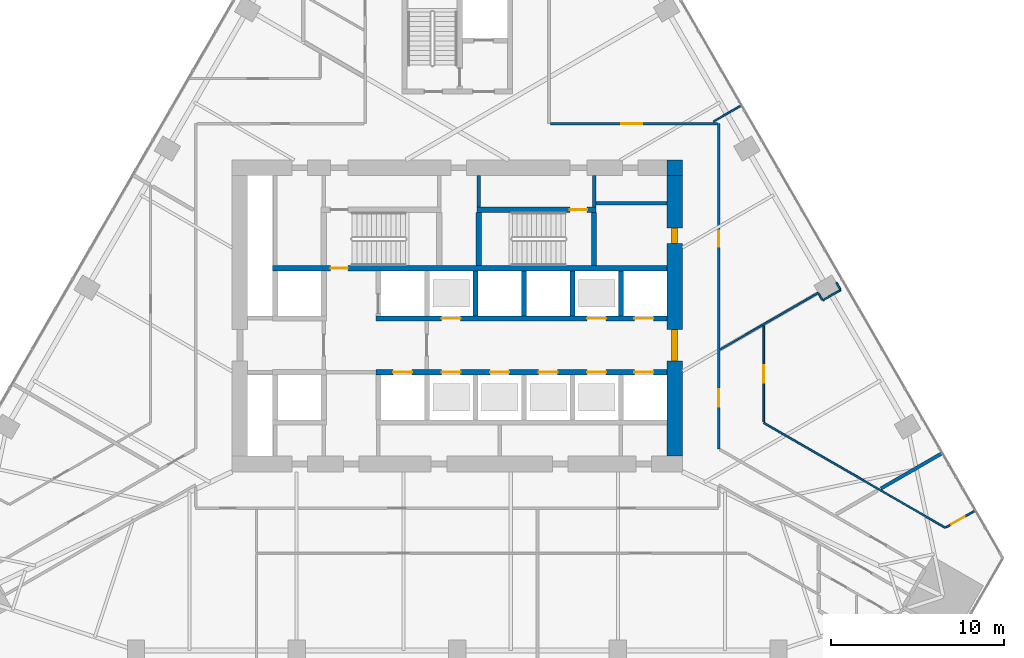
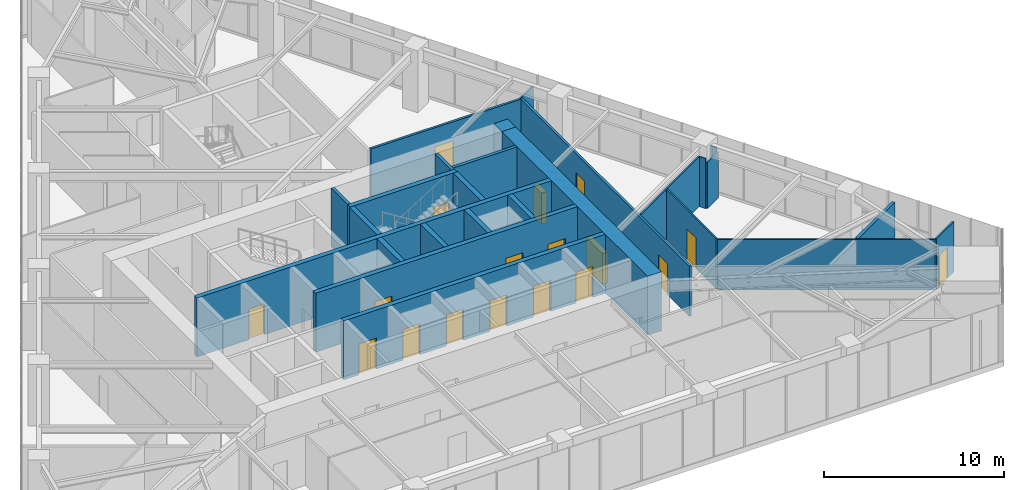
# One storey, part 18 of 22: 26 walls, 18 doors, 18 openings.
"""IFC4 building model written with IfcOpenShell, lengths in metres."""

from ifc_helpers import new_model, si_unit, direction, frame, frame_2d, origin, place, context, subcontext, project, spatial, rectangle, extrude, material, layer, layer_set, type_object, element, fill, save


model = new_model("IFC4")

# Units and contexts
model_context = context("Model", 3, precision=1e-05, world=origin(), true_north=direction((0.0, 1.0)))
body_context = subcontext(model_context, "Body", "Model", "MODEL_VIEW")
ifc_project = project(units=[si_unit("LENGTHUNIT", "METRE"), si_unit("AREAUNIT", "SQUARE_METRE"), si_unit("VOLUMEUNIT", "CUBIC_METRE"), si_unit("PLANEANGLEUNIT", "RADIAN"), si_unit("MASSUNIT", "GRAM", prefix="KILO")], contexts=[model_context])

# Site, building, storey
site_placement = place(None, origin())
site = spatial("IfcSite", under=ifc_project, at=site_placement, CompositionType="ELEMENT")
building_placement = place(site_placement, origin())
building = spatial("IfcBuilding", under=site, at=building_placement, Name="Firuza Gate Tower and Library", CompositionType="ELEMENT")
storey_placement = place(building_placement, frame((0.0, 0.0, 132.39990234375)))
storey = spatial("IfcBuildingStorey", under=building, at=storey_placement, Name="L30", CompositionType="ELEMENT", Elevation=132.39990234375)

# Walls
ifc_material_1 = material(Name="Plasterboard on steel studs", Category="steel")
ifc_layer_1 = layer(ifc_material_1, 0.199951171875)
ifc_layer_set_1 = layer_set([ifc_layer_1], Name="Core partition 200 EI 120")
wall_type_1 = type_object("IfcWallType", Name="Core partition 200 EI 120", PredefinedType="PARTITIONING", material=ifc_layer_set_1)
wall_1_placement = place(storey_placement, frame((83.0, 81.4951171875, 0.0), z_axis=(0.0, 0.0, 1.0), x_axis=(1.0, 0.0, 0.0)))
element("IfcWall", 1, at=wall_1_placement, inside=storey, type_object=wall_type_1, Name="Core partition L30 4", PredefinedType="PARTITIONING", context=body_context, shape_type="SweptSolid", body=[
    extrude(rectangle(XDim=4.10009765625, YDim=0.199951171875, at=frame_2d((2.050048828125, 0.0))), origin(), (0.0, 0.0, 1.0), 4.0),
])
wall_2_placement = place(storey_placement, frame((82.89990234375, 81.280029296875, 0.0), z_axis=(0.0, 0.0, 1.0), x_axis=(0.0, 1.0, 0.0)))
element("IfcWall", 2, at=wall_2_placement, inside=storey, type_object=wall_type_1, Name="Core partition L30 15", PredefinedType="PARTITIONING", context=body_context, shape_type="SweptSolid", body=[
    extrude(rectangle(XDim=1.820068359375, YDim=0.199951171875, at=frame_2d((0.91015625, 0.0))), origin(), (0.0, 0.0, 1.0), 4.0),
])
ifc_material_2 = material(Name="Plasterboard on steel studs", Category="steel")
ifc_layer_2 = layer(ifc_material_2, 0.199951171875)
ifc_layer_set_2 = layer_set([ifc_layer_2], Name="Core partition 200 EI 60")
wall_type_2 = type_object("IfcWallType", Name="Core partition 200 EI 60", PredefinedType="PARTITIONING", material=ifc_layer_set_2)
wall_3_placement = place(storey_placement, frame((76.239990234375, 81.280029296875, 0.0), z_axis=(0.0, 0.0, 1.0), x_axis=(0.0, 1.0, 0.0)))
element("IfcWall", 3, at=wall_3_placement, inside=storey, type_object=wall_type_2, Name="Core partition L30 13", PredefinedType="PARTITIONING", context=body_context, shape_type="SweptSolid", body=[
    extrude(rectangle(XDim=1.820068359375, YDim=0.199951171875, at=frame_2d((0.91015625, 0.0))), origin(), (0.0, 0.0, 1.0), 4.0),
])

# Wall, openings, doors
ifc_material_3 = material(Name="Concrete C80/95", Category="concrete")
ifc_layer_3 = layer(ifc_material_3, 0.300048828125)
ifc_layer_set_3 = layer_set([ifc_layer_3], Name="Core wall 300 C80/95")
wall_type_3 = type_object("IfcWallType", Name="Core wall 300 C80/95", PredefinedType="SHEAR", material=ifc_layer_set_3)
wall_4_placement = place(storey_placement, frame((70.300048828125, 71.75, 0.0), z_axis=(0.0, 0.0, 1.0), x_axis=(1.0, 0.0, 0.0)))
wall_4 = element("IfcWall", 4, at=wall_4_placement, inside=storey, type_object=wall_type_3, Name="Core wall L30 8", PredefinedType="SHEAR", context=body_context, shape_type="SweptSolid", body=[
    extrude(rectangle(XDim=16.800048828125, YDim=0.300048828125, at=frame_2d((8.39990234375, 0.0))), origin(), (0.0, 0.0, 1.0), 4.0),
])
opening_1_placement = place(wall_4_placement, frame((1.0, 0.0, 0.0)))
opening_1 = element("IfcOpeningElement", 5, at=opening_1_placement, cuts=wall_4, Name="Opening LD-FF1-L30", PredefinedType="OPENING", context=body_context, shape_type="SweptSolid", body=[
    extrude(rectangle(XDim=1.10009765625, YDim=2.10009765625, at=frame_2d((0.550048828125, 1.050048828125))), frame((0.0, 0.16015625, 0.0), z_axis=(0.0, -1.0, 0.0), x_axis=(1.0, 0.0, 0.0)), (0.0, 0.0, 1.0), 0.320068359375),
])
opening_2_placement = place(wall_4_placement, frame((3.800048828125, 0.0, 0.0)))
opening_2 = element("IfcOpeningElement", 6, at=opening_2_placement, cuts=wall_4, Name="Opening LD-LR1-L30", PredefinedType="OPENING", context=body_context, shape_type="SweptSolid", body=[
    extrude(rectangle(XDim=1.10009765625, YDim=2.10009765625, at=frame_2d((0.550048828125, 1.050048828125))), frame((0.0, 0.16015625, 0.0), z_axis=(0.0, -1.0, 0.0), x_axis=(1.0, 0.0, 0.0)), (0.0, 0.0, 1.0), 0.320068359375),
])
opening_3_placement = place(wall_4_placement, frame((6.60009765625, 0.0, 0.0)))
opening_3 = element("IfcOpeningElement", 7, at=opening_3_placement, cuts=wall_4, Name="Opening LD-LR2-L30", PredefinedType="OPENING", context=body_context, shape_type="SweptSolid", body=[
    extrude(rectangle(XDim=1.10009765625, YDim=2.10009765625, at=frame_2d((0.550048828125, 1.050048828125))), frame((0.0, 0.16015625, 0.0), z_axis=(0.0, -1.0, 0.0), x_axis=(1.0, 0.0, 0.0)), (0.0, 0.0, 1.0), 0.320068359375),
])
opening_4_placement = place(wall_4_placement, frame((9.39990234375, 0.0, 0.0)))
opening_4 = element("IfcOpeningElement", 8, at=opening_4_placement, cuts=wall_4, Name="Opening LD-LR3-L30", PredefinedType="OPENING", context=body_context, shape_type="SweptSolid", body=[
    extrude(rectangle(XDim=1.10009765625, YDim=2.10009765625, at=frame_2d((0.550048828125, 1.050048828125))), frame((0.0, 0.16015625, 0.0), z_axis=(0.0, -1.0, 0.0), x_axis=(1.0, 0.0, 0.0)), (0.0, 0.0, 1.0), 0.320068359375),
])
opening_5_placement = place(wall_4_placement, frame((12.199951171875, 0.0, 0.0)))
opening_5 = element("IfcOpeningElement", 9, at=opening_5_placement, cuts=wall_4, Name="Opening LD-LR5-L30", PredefinedType="OPENING", context=body_context, shape_type="SweptSolid", body=[
    extrude(rectangle(XDim=1.10009765625, YDim=2.10009765625, at=frame_2d((0.550048828125, 1.050048828125))), frame((0.0, 0.16015625, 0.0), z_axis=(0.0, -1.0, 0.0), x_axis=(1.0, 0.0, 0.0)), (0.0, 0.0, 1.0), 0.320068359375),
])
opening_6_placement = place(wall_4_placement, frame((14.925048828125, 0.0, 0.0)))
opening_6 = element("IfcOpeningElement", 10, at=opening_6_placement, cuts=wall_4, Name="Opening LD-LR7-L30", PredefinedType="OPENING", context=body_context, shape_type="SweptSolid", body=[
    extrude(rectangle(XDim=1.10009765625, YDim=2.10009765625, at=frame_2d((0.550048828125, 1.050048828125))), frame((0.0, 0.16015625, 0.0), z_axis=(0.0, -1.0, 0.0), x_axis=(1.0, 0.0, 0.0)), (0.0, 0.0, 1.0), 0.320068359375),
])
ifc_material_4 = material(Name="Stainless steel", Category="steel")
door_type_1 = type_object("IfcDoorType", Name="Lift landing door 1100x2100", OperationType="DOUBLE_DOOR_SLIDING", PredefinedType="DOOR", material=ifc_material_4)
door_1_placement = place(opening_1_placement, origin())
door_1 = element("IfcDoor", 11, at=door_1_placement, inside=storey, type_object=door_type_1, Name="Landing door FF1 L30", OperationType="DOUBLE_DOOR_SLIDING", OverallHeight=2.10009765625, OverallWidth=1.10009765625, PredefinedType="DOOR", context=body_context, shape_type="SweptSolid", body=[
    extrude(rectangle(XDim=1.10009765625, YDim=2.10009765625, at=frame_2d((0.550048828125, 1.050048828125))), frame((0.0, 0.02490234375, 0.0), z_axis=(0.0, -1.0, 0.0), x_axis=(1.0, 0.0, 0.0)), (0.0, 0.0, 1.0), 0.050048828125),
])
fill(opening_1, door_1)
door_2_placement = place(opening_2_placement, origin())
door_2 = element("IfcDoor", 12, at=door_2_placement, inside=storey, type_object=door_type_1, Name="Landing door LR1 L30", OperationType="DOUBLE_DOOR_SLIDING", OverallHeight=2.10009765625, OverallWidth=1.10009765625, PredefinedType="DOOR", context=body_context, shape_type="SweptSolid", body=[
    extrude(rectangle(XDim=1.10009765625, YDim=2.10009765625, at=frame_2d((0.550048828125, 1.050048828125))), frame((0.0, 0.02490234375, 0.0), z_axis=(0.0, -1.0, 0.0), x_axis=(1.0, 0.0, 0.0)), (0.0, 0.0, 1.0), 0.050048828125),
])
fill(opening_2, door_2)
door_3_placement = place(opening_3_placement, origin())
door_3 = element("IfcDoor", 13, at=door_3_placement, inside=storey, type_object=door_type_1, Name="Landing door LR2 L30", OperationType="DOUBLE_DOOR_SLIDING", OverallHeight=2.10009765625, OverallWidth=1.10009765625, PredefinedType="DOOR", context=body_context, shape_type="SweptSolid", body=[
    extrude(rectangle(XDim=1.10009765625, YDim=2.10009765625, at=frame_2d((0.550048828125, 1.050048828125))), frame((0.0, 0.02490234375, 0.0), z_axis=(0.0, -1.0, 0.0), x_axis=(1.0, 0.0, 0.0)), (0.0, 0.0, 1.0), 0.050048828125),
])
fill(opening_3, door_3)
door_4_placement = place(opening_4_placement, origin())
door_4 = element("IfcDoor", 14, at=door_4_placement, inside=storey, type_object=door_type_1, Name="Landing door LR3 L30", OperationType="DOUBLE_DOOR_SLIDING", OverallHeight=2.10009765625, OverallWidth=1.10009765625, PredefinedType="DOOR", context=body_context, shape_type="SweptSolid", body=[
    extrude(rectangle(XDim=1.10009765625, YDim=2.10009765625, at=frame_2d((0.550048828125, 1.050048828125))), frame((0.0, 0.02490234375, 0.0), z_axis=(0.0, -1.0, 0.0), x_axis=(1.0, 0.0, 0.0)), (0.0, 0.0, 1.0), 0.050048828125),
])
fill(opening_4, door_4)
door_5_placement = place(opening_5_placement, origin())
door_5 = element("IfcDoor", 15, at=door_5_placement, inside=storey, type_object=door_type_1, Name="Landing door LR5 L30", OperationType="DOUBLE_DOOR_SLIDING", OverallHeight=2.10009765625, OverallWidth=1.10009765625, PredefinedType="DOOR", context=body_context, shape_type="SweptSolid", body=[
    extrude(rectangle(XDim=1.10009765625, YDim=2.10009765625, at=frame_2d((0.550048828125, 1.050048828125))), frame((0.0, 0.02490234375, 0.0), z_axis=(0.0, -1.0, 0.0), x_axis=(1.0, 0.0, 0.0)), (0.0, 0.0, 1.0), 0.050048828125),
])
fill(opening_5, door_5)
door_6_placement = place(opening_6_placement, origin())
door_6 = element("IfcDoor", 16, at=door_6_placement, inside=storey, type_object=door_type_1, Name="Landing door LR7 L30", OperationType="DOUBLE_DOOR_SLIDING", OverallHeight=2.10009765625, OverallWidth=1.10009765625, PredefinedType="DOOR", context=body_context, shape_type="SweptSolid", body=[
    extrude(rectangle(XDim=1.10009765625, YDim=2.10009765625, at=frame_2d((0.550048828125, 1.050048828125))), frame((0.0, 0.02490234375, 0.0), z_axis=(0.0, -1.0, 0.0), x_axis=(1.0, 0.0, 0.0)), (0.0, 0.0, 1.0), 0.050048828125),
])
fill(opening_6, door_6)

wall_5_placement = place(storey_placement, frame((70.300048828125, 74.85009765625, 0.0), z_axis=(0.0, 0.0, 1.0), x_axis=(1.0, 0.0, 0.0)))
wall_5 = element("IfcWall", 17, at=wall_5_placement, inside=storey, type_object=wall_type_3, Name="Core wall L30 10", PredefinedType="SHEAR", context=body_context, shape_type="SweptSolid", body=[
    extrude(rectangle(XDim=16.800048828125, YDim=0.300048828125, at=frame_2d((8.39990234375, 0.0))), origin(), (0.0, 0.0, 1.0), 4.0),
])
opening_7_placement = place(wall_5_placement, frame((3.800048828125, 0.0, 0.0)))
opening_7 = element("IfcOpeningElement", 18, at=opening_7_placement, cuts=wall_5, Name="Opening LD-LR4-L30", PredefinedType="OPENING", context=body_context, shape_type="SweptSolid", body=[
    extrude(rectangle(XDim=1.10009765625, YDim=2.10009765625, at=frame_2d((0.550048828125, 1.050048828125))), frame((0.0, 0.16015625, 0.0), z_axis=(0.0, -1.0, 0.0), x_axis=(1.0, 0.0, 0.0)), (0.0, 0.0, 1.0), 0.320068359375),
])
opening_8_placement = place(wall_5_placement, frame((12.199951171875, 0.0, 0.0)))
opening_8 = element("IfcOpeningElement", 19, at=opening_8_placement, cuts=wall_5, Name="Opening LD-LR6-L30", PredefinedType="OPENING", context=body_context, shape_type="SweptSolid", body=[
    extrude(rectangle(XDim=1.10009765625, YDim=2.10009765625, at=frame_2d((0.550048828125, 1.050048828125))), frame((0.0, 0.16015625, 0.0), z_axis=(0.0, -1.0, 0.0), x_axis=(1.0, 0.0, 0.0)), (0.0, 0.0, 1.0), 0.320068359375),
])
opening_9_placement = place(wall_5_placement, frame((14.925048828125, 0.0, 0.0)))
opening_9 = element("IfcOpeningElement", 20, at=opening_9_placement, cuts=wall_5, Name="Opening LD-LR8-L30", PredefinedType="OPENING", context=body_context, shape_type="SweptSolid", body=[
    extrude(rectangle(XDim=1.10009765625, YDim=2.10009765625, at=frame_2d((0.550048828125, 1.050048828125))), frame((0.0, 0.16015625, 0.0), z_axis=(0.0, -1.0, 0.0), x_axis=(1.0, 0.0, 0.0)), (0.0, 0.0, 1.0), 0.320068359375),
])
door_7_placement = place(opening_7_placement, origin())
door_7 = element("IfcDoor", 21, at=door_7_placement, inside=storey, type_object=door_type_1, Name="Landing door LR4 L30", OperationType="DOUBLE_DOOR_SLIDING", OverallHeight=2.10009765625, OverallWidth=1.10009765625, PredefinedType="DOOR", context=body_context, shape_type="SweptSolid", body=[
    extrude(rectangle(XDim=1.10009765625, YDim=2.10009765625, at=frame_2d((0.550048828125, 1.050048828125))), frame((0.0, 0.02490234375, 0.0), z_axis=(0.0, -1.0, 0.0), x_axis=(1.0, 0.0, 0.0)), (0.0, 0.0, 1.0), 0.050048828125),
])
fill(opening_7, door_7)
door_8_placement = place(opening_8_placement, origin())
door_8 = element("IfcDoor", 22, at=door_8_placement, inside=storey, type_object=door_type_1, Name="Landing door LR6 L30", OperationType="DOUBLE_DOOR_SLIDING", OverallHeight=2.10009765625, OverallWidth=1.10009765625, PredefinedType="DOOR", context=body_context, shape_type="SweptSolid", body=[
    extrude(rectangle(XDim=1.10009765625, YDim=2.10009765625, at=frame_2d((0.550048828125, 1.050048828125))), frame((0.0, 0.02490234375, 0.0), z_axis=(0.0, -1.0, 0.0), x_axis=(1.0, 0.0, 0.0)), (0.0, 0.0, 1.0), 0.050048828125),
])
fill(opening_8, door_8)
door_9_placement = place(opening_9_placement, origin())
door_9 = element("IfcDoor", 23, at=door_9_placement, inside=storey, type_object=door_type_1, Name="Landing door LR8 L30", OperationType="DOUBLE_DOOR_SLIDING", OverallHeight=2.10009765625, OverallWidth=1.10009765625, PredefinedType="DOOR", context=body_context, shape_type="SweptSolid", body=[
    extrude(rectangle(XDim=1.10009765625, YDim=2.10009765625, at=frame_2d((0.550048828125, 1.050048828125))), frame((0.0, 0.02490234375, 0.0), z_axis=(0.0, -1.0, 0.0), x_axis=(1.0, 0.0, 0.0)), (0.0, 0.0, 1.0), 0.050048828125),
])
fill(opening_9, door_9)

# Walls
for number, where, z_axis, x_axis, name in (
    (24, (76.050048828125, 75.0, 0.0), (0.0, 0.0, 1.0), (0.0, 1.0, 0.0), "Core wall L30 20"),
    (25, (78.85009765625, 75.0, 0.0), (0.0, 0.0, 1.0), (0.0, 1.0, 0.0), "Core wall L30 22"),
    (26, (81.64990234375, 75.0, 0.0), (0.0, 0.0, 1.0), (0.0, 1.0, 0.0), "Core wall L30 24"),
    (27, (84.449951171875, 75.0, 0.0), (0.0, 0.0, 1.0), (0.0, 1.0, 0.0), "Core wall L30 26"),
):
    element("IfcWall", number, at=place(storey_placement, frame(where, z_axis=z_axis, x_axis=x_axis)), inside=storey, type_object=wall_type_3, Name=name, PredefinedType="SHEAR", context=body_context, shape_type="SweptSolid", body=[
        extrude(rectangle(XDim=2.60009765625, YDim=0.300048828125, at=frame_2d((1.300048828125, 0.0))), origin(), (0.0, 0.0, 1.0), 4.0),
    ])

# Wall, opening, door
wall_6_placement = place(storey_placement, frame((64.35009765625, 77.75, 0.0), z_axis=(0.0, 0.0, 1.0), x_axis=(1.0, 0.0, 0.0)))
wall_6 = element("IfcWall", 28, at=wall_6_placement, inside=storey, type_object=wall_type_3, Name="Core wall L30 27", PredefinedType="SHEAR", context=body_context, shape_type="SweptSolid", body=[
    extrude(rectangle(XDim=22.75, YDim=0.300048828125, at=frame_2d((11.375, 0.0))), origin(), (0.0, 0.0, 1.0), 4.0),
])
opening_10_placement = place(wall_6_placement, frame((3.344970703125, 0.0, 0.0)))
opening_10 = element("IfcOpeningElement", 29, at=opening_10_placement, cuts=wall_6, Name="Opening L30-K12", PredefinedType="OPENING", context=body_context, shape_type="SweptSolid", body=[
    extrude(rectangle(XDim=1.0, YDim=2.10009765625, at=frame_2d((0.5, 1.050048828125))), frame((0.0, 0.16015625, 0.0), z_axis=(0.0, -1.0, 0.0), x_axis=(1.0, 0.0, 0.0)), (0.0, 0.0, 1.0), 0.320068359375),
])
ifc_material_5 = material(Name="Steel", Category="steel")
door_type_2 = type_object("IfcDoorType", Name="Fire door 1000x2100 FD90", OperationType="NOTDEFINED", PredefinedType="DOOR", material=ifc_material_5)
door_10_placement = place(opening_10_placement, origin())
door_10 = element("IfcDoor", 30, at=door_10_placement, inside=storey, type_object=door_type_2, Name="Door L30-K12", OperationType="SINGLE_SWING_LEFT", OverallHeight=2.10009765625, OverallWidth=1.0, PredefinedType="DOOR", context=body_context, shape_type="SweptSolid", body=[
    extrude(rectangle(XDim=1.0, YDim=2.10009765625, at=frame_2d((0.5, 1.050048828125))), frame((0.0, 0.02490234375, 0.0), z_axis=(0.0, -1.0, 0.0), x_axis=(1.0, 0.0, 0.0)), (0.0, 0.0, 1.0), 0.050048828125),
])
fill(opening_10, door_10)

wall_7_placement = place(storey_placement, frame((76.139892578125, 81.1298828125, 0.0), z_axis=(0.0, 0.0, 1.0), x_axis=(1.0, 0.0, 0.0)))
wall_7 = element("IfcWall", 31, at=wall_7_placement, inside=storey, type_object=wall_type_3, Name="Core wall L30 29", PredefinedType="SHEAR", context=body_context, shape_type="SweptSolid", body=[
    extrude(rectangle(XDim=6.860107421875, YDim=0.300048828125, at=frame_2d((3.43017578125, 0.0))), origin(), (0.0, 0.0, 1.0), 4.0),
])
opening_11_placement = place(wall_7_placement, frame((5.364990234375, 0.0, 0.0)))
opening_11 = element("IfcOpeningElement", 32, at=opening_11_placement, cuts=wall_7, Name="Opening L30-K15", PredefinedType="OPENING", context=body_context, shape_type="SweptSolid", body=[
    extrude(rectangle(XDim=1.0, YDim=2.10009765625, at=frame_2d((0.5, 1.050048828125))), frame((0.0, 0.16015625, 0.0), z_axis=(0.0, -1.0, 0.0), x_axis=(1.0, 0.0, 0.0)), (0.0, 0.0, 1.0), 0.320068359375),
])
door_11_placement = place(opening_11_placement, origin())
door_11 = element("IfcDoor", 33, at=door_11_placement, inside=storey, type_object=door_type_2, Name="Door L30-K15", OperationType="SINGLE_SWING_RIGHT", OverallHeight=2.10009765625, OverallWidth=1.0, PredefinedType="DOOR", context=body_context, shape_type="SweptSolid", body=[
    extrude(rectangle(XDim=1.0, YDim=2.10009765625, at=frame_2d((0.5, 1.050048828125))), frame((0.0, 0.02490234375, 0.0), z_axis=(0.0, -1.0, 0.0), x_axis=(1.0, 0.0, 0.0)), (0.0, 0.0, 1.0), 0.050048828125),
])
fill(opening_11, door_11)

# Walls
for number, where, z_axis, x_axis, name in (
    (34, (76.239990234375, 77.89990234375, 0.0), (0.0, 0.0, 1.0), (0.0, 1.0, 0.0), "Core wall L30 32"),
    (35, (82.89990234375, 77.89990234375, 0.0), (0.0, 0.0, 1.0), (0.0, 1.0, 0.0), "Core wall L30 33"),
):
    element("IfcWall", number, at=place(storey_placement, frame(where, z_axis=z_axis, x_axis=x_axis)), inside=storey, type_object=wall_type_3, Name=name, PredefinedType="SHEAR", context=body_context, shape_type="SweptSolid", body=[
        extrude(rectangle(XDim=3.080078125, YDim=0.300048828125, at=frame_2d((1.5400390625, 0.0))), origin(), (0.0, 0.0, 1.0), 4.0),
    ])

# Wall, openings, doors
ifc_material_6 = material(Name="Concrete C80/95", Category="concrete")
ifc_layer_4 = layer(ifc_material_6, 0.89990234375)
ifc_layer_set_4 = layer_set([ifc_layer_4], Name="Core wall 900 C80/95")
wall_type_4 = type_object("IfcWallType", Name="Core wall 900 C80/95", PredefinedType="SHEAR", material=ifc_layer_set_4)
wall_8_placement = place(storey_placement, frame((87.550048828125, 66.89990234375, 0.0), z_axis=(0.0, 0.0, 1.0), x_axis=(0.0, 1.0, 0.0)))
wall_8 = element("IfcWall", 36, at=wall_8_placement, inside=storey, type_object=wall_type_4, Name="Core wall L30 4", PredefinedType="SHEAR", context=body_context, shape_type="SweptSolid", body=[
    extrude(rectangle(XDim=16.2001953125, YDim=0.89990234375, at=frame_2d((8.10009765625, 0.0))), origin(), (0.0, 0.0, 1.0), 4.0),
])
opening_12_placement = place(wall_8_placement, frame((5.5, 0.0, 0.0)))
opening_12 = element("IfcOpeningElement", 37, at=opening_12_placement, cuts=wall_8, Name="Opening L30-K23", PredefinedType="OPENING", context=body_context, shape_type="SweptSolid", body=[
    extrude(rectangle(XDim=1.800048828125, YDim=2.10009765625, at=frame_2d((0.89990234375, 1.050048828125))), frame((0.0, 0.4599609375, 0.0), z_axis=(0.0, -1.0, 0.0), x_axis=(1.0, 0.0, 0.0)), (0.0, 0.0, 1.0), 0.919921875),
])
opening_13_placement = place(wall_8_placement, frame((12.2724609375, 0.0, 0.0)))
opening_13 = element("IfcOpeningElement", 38, at=opening_13_placement, cuts=wall_8, Name="Opening L30-K31", PredefinedType="OPENING", context=body_context, shape_type="SweptSolid", body=[
    extrude(rectangle(XDim=0.89990234375, YDim=2.10009765625, at=frame_2d((0.449951171875, 1.050048828125))), frame((0.0, 0.4599609375, 0.0), z_axis=(0.0, -1.0, 0.0), x_axis=(1.0, 0.0, 0.0)), (0.0, 0.0, 1.0), 0.919921875),
])
ifc_material_7 = material(Name="Steel", Category="steel")
door_type_3 = type_object("IfcDoorType", Name="Fire door 1800x2100 FD30S", OperationType="NOTDEFINED", PredefinedType="DOOR", material=ifc_material_7)
door_12_placement = place(opening_12_placement, origin())
door_12 = element("IfcDoor", 39, at=door_12_placement, inside=storey, type_object=door_type_3, Name="Door L30-K23", OperationType="SINGLE_SWING_RIGHT", OverallHeight=2.10009765625, OverallWidth=1.800048828125, PredefinedType="DOOR", context=body_context, shape_type="SweptSolid", body=[
    extrude(rectangle(XDim=1.800048828125, YDim=2.10009765625, at=frame_2d((0.89990234375, 1.050048828125))), frame((0.0, 0.169921875, 0.0), z_axis=(0.0, -1.0, 0.0), x_axis=(1.0, 0.0, 0.0)), (0.0, 0.0, 1.0), 0.33984375),
])
fill(opening_12, door_12)
ifc_material_8 = material(Name="Steel", Category="steel")
door_type_4 = type_object("IfcDoorType", Name="Fire door 900x2100 FD30S", OperationType="NOTDEFINED", PredefinedType="DOOR", material=ifc_material_8)
door_13_placement = place(opening_13_placement, origin())
door_13 = element("IfcDoor", 40, at=door_13_placement, inside=storey, type_object=door_type_4, Name="Door L30-K31", OperationType="SINGLE_SWING_RIGHT", OverallHeight=2.10009765625, OverallWidth=0.89990234375, PredefinedType="DOOR", context=body_context, shape_type="SweptSolid", body=[
    extrude(rectangle(XDim=0.89990234375, YDim=2.10009765625, at=frame_2d((0.449951171875, 1.050048828125))), frame((0.0, 0.169921875, 0.0), z_axis=(0.0, -1.0, 0.0), x_axis=(1.0, 0.0, 0.0)), (0.0, 0.0, 1.0), 0.33984375),
])
fill(opening_13, door_13)

# Wall
wall_9_placement = place(storey_placement, frame((87.10009765625, 83.550048828125, 0.0), z_axis=(0.0, 0.0, 1.0), x_axis=(1.0, 0.0, 0.0)))
element("IfcWall", 41, at=wall_9_placement, inside=storey, type_object=wall_type_4, Name="Core wall L30 40", PredefinedType="SHEAR", context=body_context, shape_type="SweptSolid", body=[
    extrude(rectangle(XDim=0.89990234375, YDim=0.89990234375, at=frame_2d((0.449951171875, 0.0))), origin(), (0.0, 0.0, 1.0), 4.0),
])

# Wall, opening, door
ifc_material_9 = material(Name="Gypsum board partition")
ifc_layer_5 = layer(ifc_material_9, 0.14990234375)
ifc_layer_set_5 = layer_set([ifc_layer_5], Name="Corridor wall 150 double board on steel studs")
wall_type_5 = type_object("IfcWallType", Name="Corridor wall 150 double board on steel studs", PredefinedType="PARTITIONING", material=ifc_layer_set_5)
wall_10_placement = place(storey_placement, frame((80.375, 86.10009765625, 0.0), z_axis=(0.0, 0.0, 1.0), x_axis=(1.0, 0.0, 0.0)))
wall_10 = element("IfcWall", 42, at=wall_10_placement, inside=storey, type_object=wall_type_5, Name="f:L30:w003", PredefinedType="PARTITIONING", context=body_context, shape_type="SweptSolid", body=[
    extrude(rectangle(XDim=9.6494140625, YDim=0.14990234375, at=frame_2d((4.82470703125, 0.0))), origin(), (0.0, 0.0, 1.0), 3.400146484375),
])
opening_14_placement = place(wall_10_placement, frame((4.1103515625, 0.0, 0.0)))
opening_14 = element("IfcOpeningElement", 43, at=opening_14_placement, cuts=wall_10, Name="Opening L30-07", PredefinedType="OPENING", context=body_context, shape_type="SweptSolid", body=[
    extrude(rectangle(XDim=1.199951171875, YDim=2.10009765625, at=frame_2d((0.60009765625, 1.050048828125))), frame((0.0, 0.0849609375, 0.0), z_axis=(0.0, -1.0, 0.0), x_axis=(1.0, 0.0, 0.0)), (0.0, 0.0, 1.0), 0.169921875),
])
ifc_material_10 = material(Name="Steel door and timber leaf", Category="steel")
door_type_5 = type_object("IfcDoorType", Name="Fire door 1200 x 2100 steel frame, double leaf", OperationType="NOTDEFINED", PredefinedType="DOOR", material=ifc_material_10)
door_14_placement = place(opening_14_placement, origin())
door_14 = element("IfcDoor", 44, at=door_14_placement, inside=storey, type_object=door_type_5, Name="f:L30:d007", OperationType="DOUBLE_DOOR_SINGLE_SWING", OverallHeight=2.10009765625, OverallWidth=1.199951171875, PredefinedType="DOOR", context=body_context, shape_type="SweptSolid", body=[
    extrude(rectangle(XDim=1.199951171875, YDim=2.10009765625, at=frame_2d((0.60009765625, 1.050048828125))), frame((0.0, 0.02490234375, 0.0), z_axis=(0.0, -1.0, 0.0), x_axis=(1.0, 0.0, 0.0)), (0.0, 0.0, 1.0), 0.050048828125),
])
fill(opening_14, door_14)

# Wall, openings, doors
wall_11_placement = place(storey_placement, frame((90.10009765625, 86.099609375, 0.0), z_axis=(0.0, 0.0, 1.0), x_axis=(0.0, -1.0, 0.0)))
wall_11 = element("IfcWall", 45, at=wall_11_placement, inside=storey, type_object=wall_type_5, Name="f:L30:w029", PredefinedType="PARTITIONING", context=body_context, shape_type="SweptSolid", body=[
    extrude(rectangle(XDim=18.7783203125, YDim=0.14990234375, at=frame_2d((9.38916015625, 0.0))), origin(), (0.0, 0.0, 1.0), 3.400146484375),
])
opening_15_placement = place(wall_11_placement, frame((6.195556640625, 0.0, 0.0)))
opening_15 = element("IfcOpeningElement", 46, at=opening_15_placement, cuts=wall_11, Name="Opening L30-18", PredefinedType="OPENING", context=body_context, shape_type="SweptSolid", body=[
    extrude(rectangle(XDim=0.89990234375, YDim=2.10009765625, at=frame_2d((0.449951171875, 1.050048828125))), frame((0.0, 0.0849609375, 0.0), z_axis=(0.0, -1.0, 0.0), x_axis=(1.0, 0.0, 0.0)), (0.0, 0.0, 1.0), 0.169921875),
])
opening_16_placement = place(wall_11_placement, frame((15.33154296875, 0.0, 0.0)))
opening_16 = element("IfcOpeningElement", 47, at=opening_16_placement, cuts=wall_11, Name="Opening L30-19", PredefinedType="OPENING", context=body_context, shape_type="SweptSolid", body=[
    extrude(rectangle(XDim=1.0, YDim=2.10009765625, at=frame_2d((0.5, 1.050048828125))), frame((0.0, 0.0849609375, 0.0), z_axis=(0.0, -1.0, 0.0), x_axis=(1.0, 0.0, 0.0)), (0.0, 0.0, 1.0), 0.169921875),
])
ifc_material_11 = material(Name="Steel door and timber leaf", Category="steel")
door_type_6 = type_object("IfcDoorType", Name="Fire door 1000 x 2100 steel frame, timber leaf", OperationType="NOTDEFINED", PredefinedType="DOOR", material=ifc_material_11)
door_15_placement = place(opening_16_placement, origin())
door_15 = element("IfcDoor", 48, at=door_15_placement, inside=storey, type_object=door_type_6, Name="f:L30:d019", OperationType="SINGLE_SWING_RIGHT", OverallHeight=2.10009765625, OverallWidth=1.0, PredefinedType="DOOR", context=body_context, shape_type="SweptSolid", body=[
    extrude(rectangle(XDim=1.0, YDim=2.10009765625, at=frame_2d((0.5, 1.050048828125))), frame((0.0, 0.02490234375, 0.0), z_axis=(0.0, -1.0, 0.0), x_axis=(1.0, 0.0, 0.0)), (0.0, 0.0, 1.0), 0.050048828125),
])
fill(opening_16, door_15)
ifc_material_12 = material(Name="Steel door and timber leaf", Category="steel")
door_type_7 = type_object("IfcDoorType", Name="Fire door 900 x 2100 steel frame, timber leaf", OperationType="NOTDEFINED", PredefinedType="DOOR", material=ifc_material_12)
door_16_placement = place(opening_15_placement, origin())
door_16 = element("IfcDoor", 49, at=door_16_placement, inside=storey, type_object=door_type_7, Name="f:L30:d018", OperationType="SINGLE_SWING_LEFT", OverallHeight=2.10009765625, OverallWidth=0.89990234375, PredefinedType="DOOR", context=body_context, shape_type="SweptSolid", body=[
    extrude(rectangle(XDim=0.89990234375, YDim=2.10009765625, at=frame_2d((0.449951171875, 1.050048828125))), frame((0.0, 0.02490234375, 0.0), z_axis=(0.0, -1.0, 0.0), x_axis=(1.0, 0.0, 0.0)), (0.0, 0.0, 1.0), 0.050048828125),
])
fill(opening_15, door_16)

# Wall
ifc_material_13 = material(Name="Gypsum board partition")
ifc_layer_6 = layer(ifc_material_13, 0.199951171875)
ifc_layer_set_6 = layer_set([ifc_layer_6], Name="Demising wall 200 acoustic double stud")
wall_type_6 = type_object("IfcWallType", Name="Demising wall 200 acoustic double stud", PredefinedType="PARTITIONING", material=ifc_layer_set_6)
wall_12_placement = place(storey_placement, frame((99.462890625, 65.033203125, 0.0), z_axis=(0.0, 0.0, 1.0), x_axis=(0.866014978466, 0.500018056747, 0.0)))
element("IfcWall", 50, at=wall_12_placement, inside=storey, type_object=wall_type_6, Name="f:L30:w066", PredefinedType="PARTITIONING", context=body_context, shape_type="SweptSolid", body=[
    extrude(rectangle(XDim=4.074951171875, YDim=0.199951171875, at=frame_2d((2.03759765625, 0.0))), origin(), (0.0, 0.0, 1.0), 3.400146484375),
])

# Wall, opening, door
ifc_material_14 = material(Name="Gypsum board partition")
ifc_layer_7 = layer(ifc_material_14, 0.10009765625)
ifc_layer_set_7 = layer_set([ifc_layer_7], Name="Partition 100 gypsum board on steel studs")
wall_type_7 = type_object("IfcWallType", Name="Partition 100 gypsum board on steel studs", PredefinedType="PARTITIONING", material=ifc_layer_set_7)
wall_13_placement = place(storey_placement, frame((104.90283203125, 63.7607421875, 0.0), z_axis=(0.0, 0.0, 1.0), x_axis=(-0.86605048973, -0.49995654735, 0.0)))
wall_13 = element("IfcWall", 51, at=wall_13_placement, inside=storey, type_object=wall_type_7, Name="f:L30:w010", PredefinedType="PARTITIONING", context=body_context, shape_type="SweptSolid", body=[
    extrude(rectangle(XDim=1.926025390625, YDim=0.10009765625, at=frame_2d((0.962890625, 0.0))), origin(), (0.0, 0.0, 1.0), 3.400146484375),
])
opening_17_placement = place(wall_13_placement, frame((0.693115234375, 0.0, 0.0)))
opening_17 = element("IfcOpeningElement", 52, at=opening_17_placement, cuts=wall_13, Name="Opening L30-11", PredefinedType="OPENING", context=body_context, shape_type="SweptSolid", body=[
    extrude(rectangle(XDim=0.89990234375, YDim=2.10009765625, at=frame_2d((0.449951171875, 1.050048828125))), frame((0.0, 0.06005859375, 0.0), z_axis=(0.0, -1.0, 0.0), x_axis=(1.0, 0.0, 0.0)), (0.0, 0.0, 1.0), 0.1201171875),
])
ifc_material_15 = material(Name="Timber door", Category="wood")
door_type_8 = type_object("IfcDoorType", Name="Door 900 x 2100 timber leaf", OperationType="NOTDEFINED", PredefinedType="DOOR", material=ifc_material_15)
door_17_placement = place(opening_17_placement, origin())
door_17 = element("IfcDoor", 53, at=door_17_placement, inside=storey, type_object=door_type_8, Name="f:L30:d011", OperationType="SINGLE_SWING_RIGHT", OverallHeight=2.10009765625, OverallWidth=0.89990234375, PredefinedType="DOOR", context=body_context, shape_type="SweptSolid", body=[
    extrude(rectangle(XDim=0.89990234375, YDim=2.10009765625, at=frame_2d((0.449951171875, 1.050048828125))), frame((0.0, 0.02490234375, 0.0), z_axis=(0.0, -1.0, 0.0), x_axis=(1.0, 0.0, 0.0)), (0.0, 0.0, 1.0), 0.050048828125),
])
fill(opening_17, door_17)

# Walls
wall_14_placement = place(storey_placement, frame((96.095703125, 75.89599609375, 0.0), z_axis=(0.0, 0.0, 1.0), x_axis=(0.865978732077, 0.500080829057, 0.0)))
element("IfcWall", 54, at=wall_14_placement, inside=storey, type_object=wall_type_7, Name="f:L30:w012", PredefinedType="PARTITIONING", context=body_context, shape_type="SweptSolid", body=[
    extrude(rectangle(XDim=1.198974609375, YDim=0.10009765625, at=frame_2d((0.599609375, 0.0))), origin(), (0.0, 0.0, 1.0), 3.1650390625),
])
wall_15_placement = place(storey_placement, frame((90.20068359375, 73.06982421875, 0.0), z_axis=(0.0, 0.0, 1.0), x_axis=(0.866021525041, 0.500006718121, 0.0)))
element("IfcWall", 55, at=wall_15_placement, inside=storey, type_object=wall_type_7, Name="f:L30:w013", PredefinedType="PARTITIONING", context=body_context, shape_type="SweptSolid", body=[
    extrude(rectangle(XDim=6.517578125, YDim=0.10009765625, at=frame_2d((3.2587890625, 0.0))), origin(), (0.0, 0.0, 1.0), 3.400146484375),
])
wall_16_placement = place(storey_placement, frame((89.79736328125, 86.219970703125, 0.0), z_axis=(0.0, 0.0, 1.0), x_axis=(0.866036320872, 0.499981090573, 0.0)))
element("IfcWall", 56, at=wall_16_placement, inside=storey, type_object=wall_type_7, Name="f:L30:w017", PredefinedType="PARTITIONING", context=body_context, shape_type="SweptSolid", body=[
    extrude(rectangle(XDim=1.85205078125, YDim=0.10009765625, at=frame_2d((0.926025390625, 0.0))), origin(), (0.0, 0.0, 1.0), 3.1650390625),
])

# Wall, opening, door
wall_17_placement = place(storey_placement, frame((92.699951171875, 74.424560546875, 0.0), z_axis=(0.0, 0.0, 1.0), x_axis=(0.0, -1.0, 0.0)))
wall_17 = element("IfcWall", 57, at=wall_17_placement, inside=storey, type_object=wall_type_7, Name="f:L30:w027", PredefinedType="PARTITIONING", context=body_context, shape_type="SweptSolid", body=[
    extrude(rectangle(XDim=5.54443359375, YDim=0.10009765625, at=frame_2d((2.772216796875, 0.0))), origin(), (0.0, 0.0, 1.0), 3.400146484375),
])
opening_18_placement = place(wall_17_placement, frame((2.272216796875, 0.0, 0.0)))
opening_18 = element("IfcOpeningElement", 58, at=opening_18_placement, cuts=wall_17, Name="Opening L30-17", PredefinedType="OPENING", context=body_context, shape_type="SweptSolid", body=[
    extrude(rectangle(XDim=1.0, YDim=2.10009765625, at=frame_2d((0.5, 1.050048828125))), frame((0.0, 0.06005859375, 0.0), z_axis=(0.0, -1.0, 0.0), x_axis=(1.0, 0.0, 0.0)), (0.0, 0.0, 1.0), 0.1201171875),
])
ifc_material_16 = material(Name="Timber door", Category="wood")
door_type_9 = type_object("IfcDoorType", Name="Door 1000 x 2100 timber leaf", OperationType="NOTDEFINED", PredefinedType="DOOR", material=ifc_material_16)
door_18_placement = place(opening_18_placement, origin())
door_18 = element("IfcDoor", 59, at=door_18_placement, inside=storey, type_object=door_type_9, Name="f:L30:d017", OperationType="SINGLE_SWING_LEFT", OverallHeight=2.10009765625, OverallWidth=1.0, PredefinedType="DOOR", context=body_context, shape_type="SweptSolid", body=[
    extrude(rectangle(XDim=1.0, YDim=2.10009765625, at=frame_2d((0.5, 1.050048828125))), frame((0.0, 0.02490234375, 0.0), z_axis=(0.0, -1.0, 0.0), x_axis=(1.0, 0.0, 0.0)), (0.0, 0.0, 1.0), 0.050048828125),
])
fill(opening_18, door_18)

# Walls
wall_18_placement = place(storey_placement, frame((97.109619140625, 76.539306640625, 0.0), z_axis=(0.0, 0.0, 1.0), x_axis=(-0.500286647819, 0.865859844325, 0.0)))
element("IfcWall", 60, at=wall_18_placement, inside=storey, type_object=wall_type_7, Name="f:L30:w047", PredefinedType="PARTITIONING", context=body_context, shape_type="SweptSolid", body=[
    extrude(rectangle(XDim=0.449462890625, YDim=0.10009765625, at=frame_2d((0.224609375, 0.0))), origin(), (0.0, 0.0, 1.0), 3.400146484375),
])
wall_19_placement = place(storey_placement, frame((96.0703125, 75.939208984375, 0.0), z_axis=(0.0, 0.0, 1.0), x_axis=(-0.50002266109, 0.866012320003, 0.0)))
element("IfcWall", 61, at=wall_19_placement, inside=storey, type_object=wall_type_7, Name="f:L30:w048", PredefinedType="PARTITIONING", context=body_context, shape_type="SweptSolid", body=[
    extrude(rectangle(XDim=0.39892578125, YDim=0.10009765625, at=frame_2d((0.199462890625, 0.0))), origin(), (0.0, 0.0, 1.0), 3.400146484375),
])
wall_20_placement = place(storey_placement, frame((103.184814453125, 62.76904296875, 0.0), z_axis=(0.0, 0.0, 1.0), x_axis=(-0.866024396652, 0.5000017444, 0.0)))
element("IfcWall", 62, at=wall_20_placement, inside=storey, type_object=wall_type_7, Name="f:L30:w054", PredefinedType="PARTITIONING", context=body_context, shape_type="SweptSolid", body=[
    extrude(rectangle(XDim=12.10693359375, YDim=0.10009765625, at=frame_2d((6.053466796875, 0.0))), origin(), (0.0, 0.0, 1.0), 3.400146484375),
])

save(model, "model.ifc")
